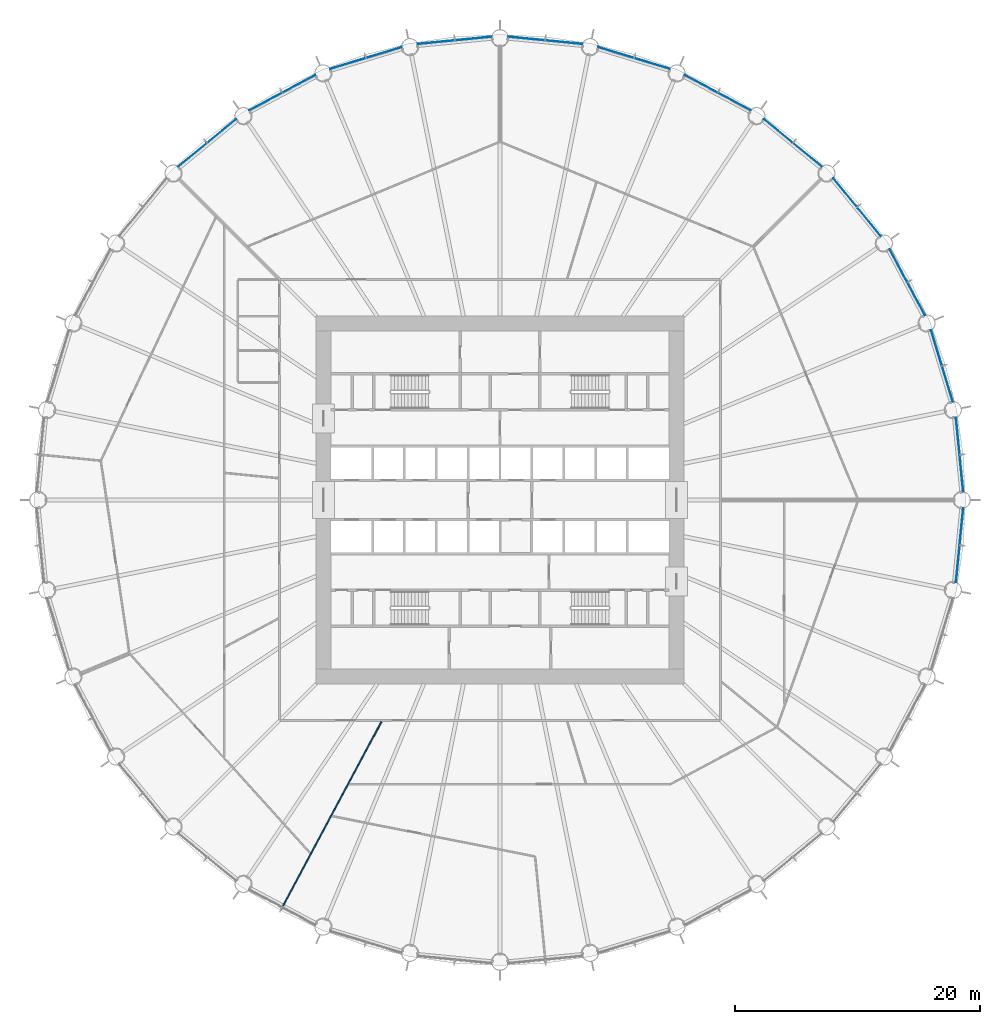
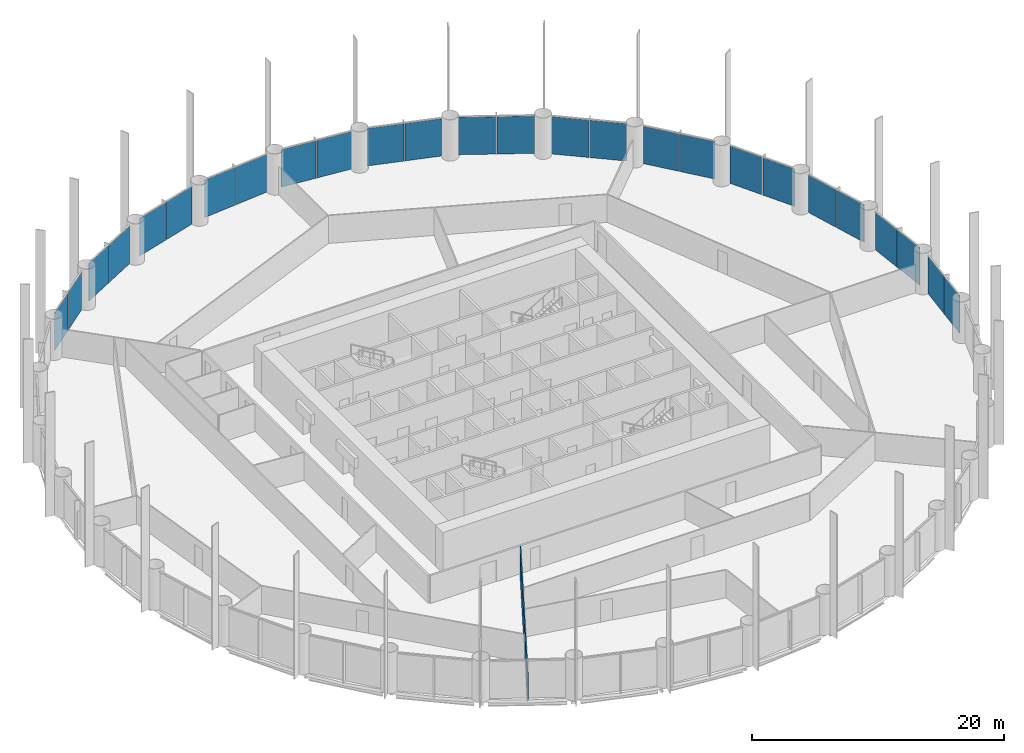
# One storey, part 8 of 15: 26 plates, 1 wall, 13 elements without a shape of their own.
"""IFC4 building model written with IfcOpenShell, lengths in metres."""

from ifc_helpers import new_model, si_unit, direction, frame, frame_2d, origin, origin_2d, place, context, subcontext, project, spatial, rectangle, extrude, material, layer, layer_set, type_object, element, aggregate, save


model = new_model("IFC4")

# Units and contexts
model_context = context("Model", 3, precision=1e-05, world=origin(), true_north=direction((0.0, 1.0)))
body_context = subcontext(model_context, "Body", "Model", "MODEL_VIEW")
ifc_project = project(units=[si_unit("LENGTHUNIT", "METRE"), si_unit("AREAUNIT", "SQUARE_METRE"), si_unit("VOLUMEUNIT", "CUBIC_METRE"), si_unit("PLANEANGLEUNIT", "RADIAN"), si_unit("MASSUNIT", "GRAM", prefix="KILO")], contexts=[model_context])

# Site, building, storey
site_placement = place(None, origin())
site = spatial("IfcSite", under=ifc_project, at=site_placement, CompositionType="ELEMENT")
building_placement = place(site_placement, origin())
building = spatial("IfcBuilding", under=site, at=building_placement, Name="Corvane Civic Tower", CompositionType="ELEMENT")
storey_placement = place(building_placement, frame((0.0, 0.0, 65.0)))
storey = spatial("IfcBuildingStorey", under=building, at=storey_placement, Name="L14", CompositionType="ELEMENT", Elevation=65.0)

# Curtain wall, plates
ifc_material_1 = material(Name="Anodised aluminium bronze", Category="aluminium")
curtain_wall_type = type_object("IfcCurtainWallType", Name="TOWER CW-T1 STICK CURTAIN WALL", PredefinedType="NOTDEFINED", material=ifc_material_1)
curtain_wall_1_placement = place(storey_placement, origin())
curtain_wall_1 = element("IfcCurtainWall", 1, at=curtain_wall_1_placement, inside=storey, type_object=curtain_wall_type, Name="Curtain wall CW-T1 L14 bay 01", PredefinedType="NOTDEFINED")
ifc_material_2 = material(Name="Tinted glass", Category="glass")
ifc_layer_1 = layer(ifc_material_2, 0.035888671875)
ifc_layer_set_1 = layer_set([ifc_layer_1], Name="Tinted glass")
plate_type = type_object("IfcPlateType", Name="TOWER CW-T1 PANEL IGU36", PredefinedType="CURTAIN_PANEL", material=ifc_layer_set_1)
plate_1_placement = place(storey_placement, frame((2.158203125, 37.667236328125, 0.0), z_axis=(0.0, 0.0, 1.0), x_axis=(0.995185800248, -0.098006239521, 0.0)))
plate_1 = element("IfcPlate", 2, at=plate_1_placement, type_object=plate_type, Name="Glass panel CW-T1 L14 01.1", PredefinedType="CURTAIN_PANEL", context=body_context, shape_type="SweptSolid", body=[
    extrude(rectangle(XDim=3.008544921875, YDim=0.035888671875, at=origin_2d()), origin(), (0.0, 0.0, 1.0), 3.6298828125),
])
plate_2_placement = place(storey_placement, frame((5.23193359375, 37.36474609375, 0.0), z_axis=(0.0, 0.0, 1.0), x_axis=(0.995185800248, -0.098006239521, 0.0)))
plate_2 = element("IfcPlate", 3, at=plate_2_placement, type_object=plate_type, Name="Glass panel CW-T1 L14 01.2", PredefinedType="CURTAIN_PANEL", context=body_context, shape_type="SweptSolid", body=[
    extrude(rectangle(XDim=3.008544921875, YDim=0.035888671875, at=origin_2d()), origin(), (0.0, 0.0, 1.0), 3.6298828125),
])
aggregate(curtain_wall_1, [plate_1, plate_2])

curtain_wall_2_placement = place(storey_placement, origin())
curtain_wall_2 = element("IfcCurtainWall", 4, at=curtain_wall_2_placement, inside=storey, type_object=curtain_wall_type, Name="Curtain wall CW-T1 L14 bay 02", PredefinedType="NOTDEFINED")
plate_3_placement = place(storey_placement, frame((9.46533203125, 36.522705078125, 0.0), z_axis=(0.0, 0.0, 1.0), x_axis=(0.956942240606, -0.290278397654, 0.0)))
plate_3 = element("IfcPlate", 5, at=plate_3_placement, type_object=plate_type, Name="Glass panel CW-T1 L14 02.1", PredefinedType="CURTAIN_PANEL", context=body_context, shape_type="SweptSolid", body=[
    extrude(rectangle(XDim=3.008544921875, YDim=0.035888671875, at=origin_2d()), origin(), (0.0, 0.0, 1.0), 3.6298828125),
])
plate_4_placement = place(storey_placement, frame((12.4208984375, 35.6259765625, 0.0), z_axis=(0.0, 0.0, 1.0), x_axis=(0.956942240606, -0.290278397654, 0.0)))
plate_4 = element("IfcPlate", 6, at=plate_4_placement, type_object=plate_type, Name="Glass panel CW-T1 L14 02.2", PredefinedType="CURTAIN_PANEL", context=body_context, shape_type="SweptSolid", body=[
    extrude(rectangle(XDim=3.008544921875, YDim=0.035888671875, at=origin_2d()), origin(), (0.0, 0.0, 1.0), 3.6298828125),
])
aggregate(curtain_wall_2, [plate_3, plate_4])

curtain_wall_3_placement = place(storey_placement, origin())
curtain_wall_3 = element("IfcCurtainWall", 7, at=curtain_wall_3_placement, inside=storey, type_object=curtain_wall_type, Name="Curtain wall CW-T1 L14 bay 03", PredefinedType="NOTDEFINED")
plate_5_placement = place(storey_placement, frame((16.40869140625, 33.974365234375, 0.0), z_axis=(0.0, 0.0, 1.0), x_axis=(0.881917528864, -0.471403725359, 0.0)))
plate_5 = element("IfcPlate", 8, at=plate_5_placement, type_object=plate_type, Name="Glass panel CW-T1 L14 03.1", PredefinedType="CURTAIN_PANEL", context=body_context, shape_type="SweptSolid", body=[
    extrude(rectangle(XDim=3.008544921875, YDim=0.035888671875, at=origin_2d()), origin(), (0.0, 0.0, 1.0), 3.6298828125),
])
plate_6_placement = place(storey_placement, frame((19.132568359375, 32.518310546875, 0.0), z_axis=(0.0, 0.0, 1.0), x_axis=(0.881917528864, -0.471403725359, 0.0)))
plate_6 = element("IfcPlate", 9, at=plate_6_placement, type_object=plate_type, Name="Glass panel CW-T1 L14 03.2", PredefinedType="CURTAIN_PANEL", context=body_context, shape_type="SweptSolid", body=[
    extrude(rectangle(XDim=3.008544921875, YDim=0.035888671875, at=origin_2d()), origin(), (0.0, 0.0, 1.0), 3.6298828125),
])
aggregate(curtain_wall_3, [plate_5, plate_6])

curtain_wall_4_placement = place(storey_placement, origin())
curtain_wall_4 = element("IfcCurtainWall", 10, at=curtain_wall_4_placement, inside=storey, type_object=curtain_wall_type, Name="Curtain wall CW-T1 L14 bay 04", PredefinedType="NOTDEFINED")
plate_7_placement = place(storey_placement, frame((22.721435546875, 30.120361328125, 0.0), z_axis=(0.0, 0.0, 1.0), x_axis=(0.773007224463, -0.634397218569, 0.0)))
plate_7 = element("IfcPlate", 11, at=plate_7_placement, type_object=plate_type, Name="Glass panel CW-T1 L14 04.1", PredefinedType="CURTAIN_PANEL", context=body_context, shape_type="SweptSolid", body=[
    extrude(rectangle(XDim=3.008544921875, YDim=0.035888671875, at=origin_2d()), origin(), (0.0, 0.0, 1.0), 3.6298828125),
])
plate_8_placement = place(storey_placement, frame((25.10888671875, 28.160888671875, 0.0), z_axis=(0.0, 0.0, 1.0), x_axis=(0.773007224463, -0.634397218569, 0.0)))
plate_8 = element("IfcPlate", 12, at=plate_8_placement, type_object=plate_type, Name="Glass panel CW-T1 L14 04.2", PredefinedType="CURTAIN_PANEL", context=body_context, shape_type="SweptSolid", body=[
    extrude(rectangle(XDim=3.008544921875, YDim=0.035888671875, at=origin_2d()), origin(), (0.0, 0.0, 1.0), 3.6298828125),
])
aggregate(curtain_wall_4, [plate_7, plate_8])

curtain_wall_5_placement = place(storey_placement, origin())
curtain_wall_5 = element("IfcCurtainWall", 13, at=curtain_wall_5_placement, inside=storey, type_object=curtain_wall_type, Name="Curtain wall CW-T1 L14 bay 05", PredefinedType="NOTDEFINED")
plate_9_placement = place(storey_placement, frame((28.160888671875, 25.10888671875, 0.0), z_axis=(0.0, 0.0, 1.0), x_axis=(0.634397218569, -0.773007224463, 0.0)))
plate_9 = element("IfcPlate", 14, at=plate_9_placement, type_object=plate_type, Name="Glass panel CW-T1 L14 05.1", PredefinedType="CURTAIN_PANEL", context=body_context, shape_type="SweptSolid", body=[
    extrude(rectangle(XDim=3.008544921875, YDim=0.035888671875, at=origin_2d()), origin(), (0.0, 0.0, 1.0), 3.6298828125),
])
plate_10_placement = place(storey_placement, frame((30.120361328125, 22.721435546875, 0.0), z_axis=(0.0, 0.0, 1.0), x_axis=(0.634397218569, -0.773007224463, 0.0)))
plate_10 = element("IfcPlate", 15, at=plate_10_placement, type_object=plate_type, Name="Glass panel CW-T1 L14 05.2", PredefinedType="CURTAIN_PANEL", context=body_context, shape_type="SweptSolid", body=[
    extrude(rectangle(XDim=3.008544921875, YDim=0.035888671875, at=origin_2d()), origin(), (0.0, 0.0, 1.0), 3.6298828125),
])
aggregate(curtain_wall_5, [plate_9, plate_10])

curtain_wall_6_placement = place(storey_placement, origin())
curtain_wall_6 = element("IfcCurtainWall", 16, at=curtain_wall_6_placement, inside=storey, type_object=curtain_wall_type, Name="Curtain wall CW-T1 L14 bay 06", PredefinedType="NOTDEFINED")
plate_11_placement = place(storey_placement, frame((32.518310546875, 19.132568359375, 0.0), z_axis=(0.0, 0.0, 1.0), x_axis=(0.471403725359, -0.881917528864, 0.0)))
plate_11 = element("IfcPlate", 17, at=plate_11_placement, type_object=plate_type, Name="Glass panel CW-T1 L14 06.1", PredefinedType="CURTAIN_PANEL", context=body_context, shape_type="SweptSolid", body=[
    extrude(rectangle(XDim=3.008544921875, YDim=0.035888671875, at=origin_2d()), origin(), (0.0, 0.0, 1.0), 3.6298828125),
])
plate_12_placement = place(storey_placement, frame((33.974365234375, 16.40869140625, 0.0), z_axis=(0.0, 0.0, 1.0), x_axis=(0.471403725359, -0.881917528864, 0.0)))
plate_12 = element("IfcPlate", 18, at=plate_12_placement, type_object=plate_type, Name="Glass panel CW-T1 L14 06.2", PredefinedType="CURTAIN_PANEL", context=body_context, shape_type="SweptSolid", body=[
    extrude(rectangle(XDim=3.008544921875, YDim=0.035888671875, at=origin_2d()), origin(), (0.0, 0.0, 1.0), 3.6298828125),
])
aggregate(curtain_wall_6, [plate_11, plate_12])

curtain_wall_7_placement = place(storey_placement, origin())
curtain_wall_7 = element("IfcCurtainWall", 19, at=curtain_wall_7_placement, inside=storey, type_object=curtain_wall_type, Name="Curtain wall CW-T1 L14 bay 07", PredefinedType="NOTDEFINED")
plate_13_placement = place(storey_placement, frame((35.6259765625, 12.4208984375, 0.0), z_axis=(0.0, 0.0, 1.0), x_axis=(0.290278397654, -0.956942240606, 0.0)))
plate_13 = element("IfcPlate", 20, at=plate_13_placement, type_object=plate_type, Name="Glass panel CW-T1 L14 07.1", PredefinedType="CURTAIN_PANEL", context=body_context, shape_type="SweptSolid", body=[
    extrude(rectangle(XDim=3.008544921875, YDim=0.035888671875, at=origin_2d()), origin(), (0.0, 0.0, 1.0), 3.6298828125),
])
plate_14_placement = place(storey_placement, frame((36.522705078125, 9.46533203125, 0.0), z_axis=(0.0, 0.0, 1.0), x_axis=(0.290278397654, -0.956942240606, 0.0)))
plate_14 = element("IfcPlate", 21, at=plate_14_placement, type_object=plate_type, Name="Glass panel CW-T1 L14 07.2", PredefinedType="CURTAIN_PANEL", context=body_context, shape_type="SweptSolid", body=[
    extrude(rectangle(XDim=3.008544921875, YDim=0.035888671875, at=origin_2d()), origin(), (0.0, 0.0, 1.0), 3.6298828125),
])
aggregate(curtain_wall_7, [plate_13, plate_14])

curtain_wall_8_placement = place(storey_placement, origin())
curtain_wall_8 = element("IfcCurtainWall", 22, at=curtain_wall_8_placement, inside=storey, type_object=curtain_wall_type, Name="Curtain wall CW-T1 L14 bay 08", PredefinedType="NOTDEFINED")
plate_15_placement = place(storey_placement, frame((37.36474609375, 5.23193359375, 0.0), z_axis=(0.0, 0.0, 1.0), x_axis=(0.098006239521, -0.995185800248, 0.0)))
plate_15 = element("IfcPlate", 23, at=plate_15_placement, type_object=plate_type, Name="Glass panel CW-T1 L14 08.1", PredefinedType="CURTAIN_PANEL", context=body_context, shape_type="SweptSolid", body=[
    extrude(rectangle(XDim=3.008544921875, YDim=0.035888671875, at=origin_2d()), origin(), (0.0, 0.0, 1.0), 3.6298828125),
])
plate_16_placement = place(storey_placement, frame((37.667236328125, 2.158203125, 0.0), z_axis=(0.0, 0.0, 1.0), x_axis=(0.098006239521, -0.995185800248, 0.0)))
plate_16 = element("IfcPlate", 24, at=plate_16_placement, type_object=plate_type, Name="Glass panel CW-T1 L14 08.2", PredefinedType="CURTAIN_PANEL", context=body_context, shape_type="SweptSolid", body=[
    extrude(rectangle(XDim=3.008544921875, YDim=0.035888671875, at=origin_2d()), origin(), (0.0, 0.0, 1.0), 3.6298828125),
])
aggregate(curtain_wall_8, [plate_15, plate_16])

curtain_wall_9_placement = place(storey_placement, origin())
curtain_wall_9 = element("IfcCurtainWall", 25, at=curtain_wall_9_placement, inside=storey, type_object=curtain_wall_type, Name="Curtain wall CW-T1 L14 bay 09", PredefinedType="NOTDEFINED")
plate_17_placement = place(storey_placement, frame((37.667236328125, -2.158203125, 0.0), z_axis=(0.0, 0.0, 1.0), x_axis=(-0.098006239521, -0.995185800248, 0.0)))
plate_17 = element("IfcPlate", 26, at=plate_17_placement, type_object=plate_type, Name="Glass panel CW-T1 L14 09.1", PredefinedType="CURTAIN_PANEL", context=body_context, shape_type="SweptSolid", body=[
    extrude(rectangle(XDim=3.008544921875, YDim=0.035888671875, at=origin_2d()), origin(), (0.0, 0.0, 1.0), 3.6298828125),
])
plate_18_placement = place(storey_placement, frame((37.36474609375, -5.23193359375, 0.0), z_axis=(0.0, 0.0, 1.0), x_axis=(-0.098006239521, -0.995185800248, 0.0)))
plate_18 = element("IfcPlate", 27, at=plate_18_placement, type_object=plate_type, Name="Glass panel CW-T1 L14 09.2", PredefinedType="CURTAIN_PANEL", context=body_context, shape_type="SweptSolid", body=[
    extrude(rectangle(XDim=3.008544921875, YDim=0.035888671875, at=origin_2d()), origin(), (0.0, 0.0, 1.0), 3.6298828125),
])
aggregate(curtain_wall_9, [plate_17, plate_18])

curtain_wall_10_placement = place(storey_placement, origin())
curtain_wall_10 = element("IfcCurtainWall", 28, at=curtain_wall_10_placement, inside=storey, type_object=curtain_wall_type, Name="Curtain wall CW-T1 L14 bay 29", PredefinedType="NOTDEFINED")
plate_19_placement = place(storey_placement, frame((-25.10888671875, 28.160888671875, 0.0), z_axis=(0.0, 0.0, 1.0), x_axis=(0.773007224463, 0.634397218569, 0.0)))
plate_19 = element("IfcPlate", 29, at=plate_19_placement, type_object=plate_type, Name="Glass panel CW-T1 L14 29.1", PredefinedType="CURTAIN_PANEL", context=body_context, shape_type="SweptSolid", body=[
    extrude(rectangle(XDim=3.008544921875, YDim=0.035888671875, at=origin_2d()), origin(), (0.0, 0.0, 1.0), 3.6298828125),
])
plate_20_placement = place(storey_placement, frame((-22.721435546875, 30.120361328125, 0.0), z_axis=(0.0, 0.0, 1.0), x_axis=(0.773007224463, 0.634397218569, 0.0)))
plate_20 = element("IfcPlate", 30, at=plate_20_placement, type_object=plate_type, Name="Glass panel CW-T1 L14 29.2", PredefinedType="CURTAIN_PANEL", context=body_context, shape_type="SweptSolid", body=[
    extrude(rectangle(XDim=3.008544921875, YDim=0.035888671875, at=origin_2d()), origin(), (0.0, 0.0, 1.0), 3.6298828125),
])
aggregate(curtain_wall_10, [plate_19, plate_20])

curtain_wall_11_placement = place(storey_placement, origin())
curtain_wall_11 = element("IfcCurtainWall", 31, at=curtain_wall_11_placement, inside=storey, type_object=curtain_wall_type, Name="Curtain wall CW-T1 L14 bay 30", PredefinedType="NOTDEFINED")
plate_21_placement = place(storey_placement, frame((-19.132568359375, 32.518310546875, 0.0), z_axis=(0.0, 0.0, 1.0), x_axis=(0.881917528864, 0.471403725359, 0.0)))
plate_21 = element("IfcPlate", 32, at=plate_21_placement, type_object=plate_type, Name="Glass panel CW-T1 L14 30.1", PredefinedType="CURTAIN_PANEL", context=body_context, shape_type="SweptSolid", body=[
    extrude(rectangle(XDim=3.008544921875, YDim=0.035888671875, at=origin_2d()), origin(), (0.0, 0.0, 1.0), 3.6298828125),
])
plate_22_placement = place(storey_placement, frame((-16.40869140625, 33.974365234375, 0.0), z_axis=(0.0, 0.0, 1.0), x_axis=(0.881917528864, 0.471403725359, 0.0)))
plate_22 = element("IfcPlate", 33, at=plate_22_placement, type_object=plate_type, Name="Glass panel CW-T1 L14 30.2", PredefinedType="CURTAIN_PANEL", context=body_context, shape_type="SweptSolid", body=[
    extrude(rectangle(XDim=3.008544921875, YDim=0.035888671875, at=origin_2d()), origin(), (0.0, 0.0, 1.0), 3.6298828125),
])
aggregate(curtain_wall_11, [plate_21, plate_22])

curtain_wall_12_placement = place(storey_placement, origin())
curtain_wall_12 = element("IfcCurtainWall", 34, at=curtain_wall_12_placement, inside=storey, type_object=curtain_wall_type, Name="Curtain wall CW-T1 L14 bay 31", PredefinedType="NOTDEFINED")
plate_23_placement = place(storey_placement, frame((-12.4208984375, 35.6259765625, 0.0), z_axis=(0.0, 0.0, 1.0), x_axis=(0.956942240606, 0.290278397654, 0.0)))
plate_23 = element("IfcPlate", 35, at=plate_23_placement, type_object=plate_type, Name="Glass panel CW-T1 L14 31.1", PredefinedType="CURTAIN_PANEL", context=body_context, shape_type="SweptSolid", body=[
    extrude(rectangle(XDim=3.008544921875, YDim=0.035888671875, at=origin_2d()), origin(), (0.0, 0.0, 1.0), 3.6298828125),
])
plate_24_placement = place(storey_placement, frame((-9.46533203125, 36.522705078125, 0.0), z_axis=(0.0, 0.0, 1.0), x_axis=(0.956942240606, 0.290278397654, 0.0)))
plate_24 = element("IfcPlate", 36, at=plate_24_placement, type_object=plate_type, Name="Glass panel CW-T1 L14 31.2", PredefinedType="CURTAIN_PANEL", context=body_context, shape_type="SweptSolid", body=[
    extrude(rectangle(XDim=3.008544921875, YDim=0.035888671875, at=origin_2d()), origin(), (0.0, 0.0, 1.0), 3.6298828125),
])
aggregate(curtain_wall_12, [plate_23, plate_24])

curtain_wall_13_placement = place(storey_placement, origin())
curtain_wall_13 = element("IfcCurtainWall", 37, at=curtain_wall_13_placement, inside=storey, type_object=curtain_wall_type, Name="Curtain wall CW-T1 L14 bay 32", PredefinedType="NOTDEFINED")
plate_25_placement = place(storey_placement, frame((-5.23193359375, 37.36474609375, 0.0), z_axis=(0.0, 0.0, 1.0), x_axis=(0.995185800248, 0.098006239521, 0.0)))
plate_25 = element("IfcPlate", 38, at=plate_25_placement, type_object=plate_type, Name="Glass panel CW-T1 L14 32.1", PredefinedType="CURTAIN_PANEL", context=body_context, shape_type="SweptSolid", body=[
    extrude(rectangle(XDim=3.008544921875, YDim=0.035888671875, at=origin_2d()), origin(), (0.0, 0.0, 1.0), 3.6298828125),
])
plate_26_placement = place(storey_placement, frame((-2.158203125, 37.667236328125, 0.0), z_axis=(0.0, 0.0, 1.0), x_axis=(0.995185800248, 0.098006239521, 0.0)))
plate_26 = element("IfcPlate", 39, at=plate_26_placement, type_object=plate_type, Name="Glass panel CW-T1 L14 32.2", PredefinedType="CURTAIN_PANEL", context=body_context, shape_type="SweptSolid", body=[
    extrude(rectangle(XDim=3.008544921875, YDim=0.035888671875, at=origin_2d()), origin(), (0.0, 0.0, 1.0), 3.6298828125),
])
aggregate(curtain_wall_13, [plate_25, plate_26])

# Wall
ifc_material_3 = material(Name="Plasterboard")
ifc_layer_2 = layer(ifc_material_3, 0.10009765625)
ifc_layer_set_2 = layer_set([ifc_layer_2], Name="Plasterboard")
wall_type = type_object("IfcWallType", Name="Partition 100 plasterboard on studs", PredefinedType="PARTITIONING", material=ifc_layer_set_2)
wall_placement = place(storey_placement, frame((-17.8896484375, -33.468994140625, 0.0), z_axis=(0.0, 0.0, 1.0), x_axis=(0.471405261517, 0.881916707753, 0.0)))
element("IfcWall", 40, at=wall_placement, inside=storey, type_object=wall_type, Name="Partition L14.002", PredefinedType="PARTITIONING", context=body_context, shape_type="SweptSolid", body=[
    extrude(rectangle(XDim=17.428466796875, YDim=0.10009765625, at=frame_2d((8.71435546875, 0.0))), origin(), (0.0, 0.0, 1.0), 2.699951171875),
])

save(model, "model.ifc")
